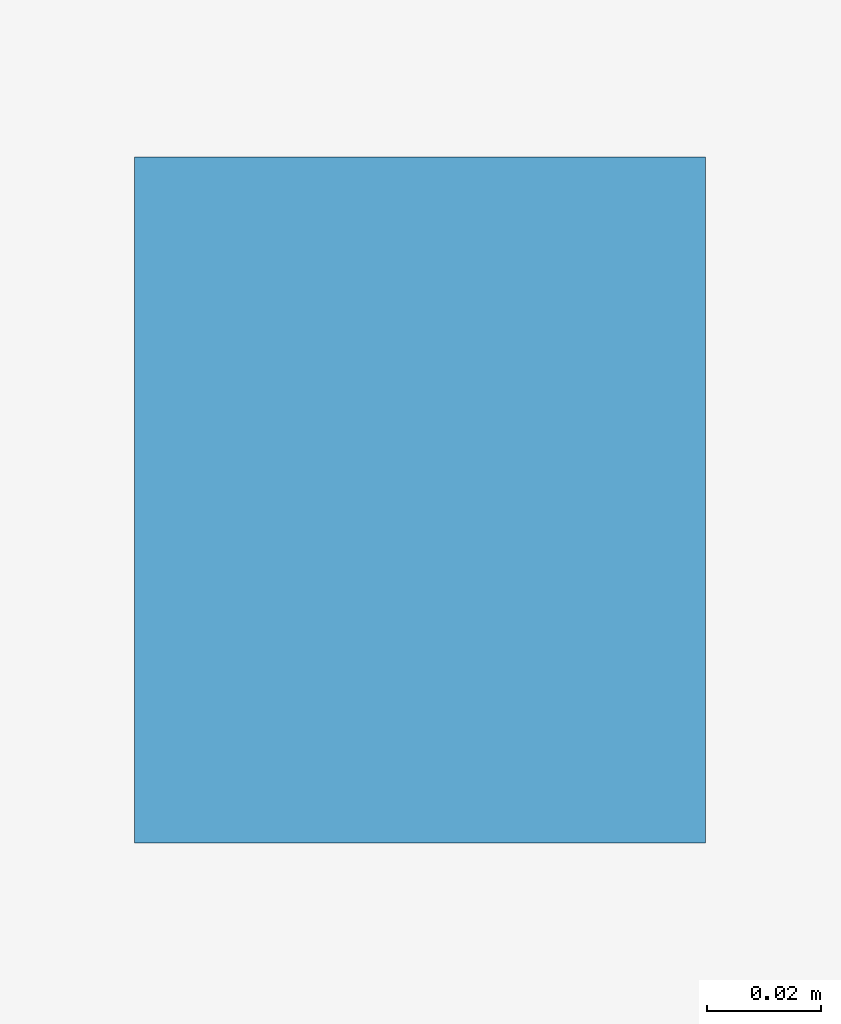
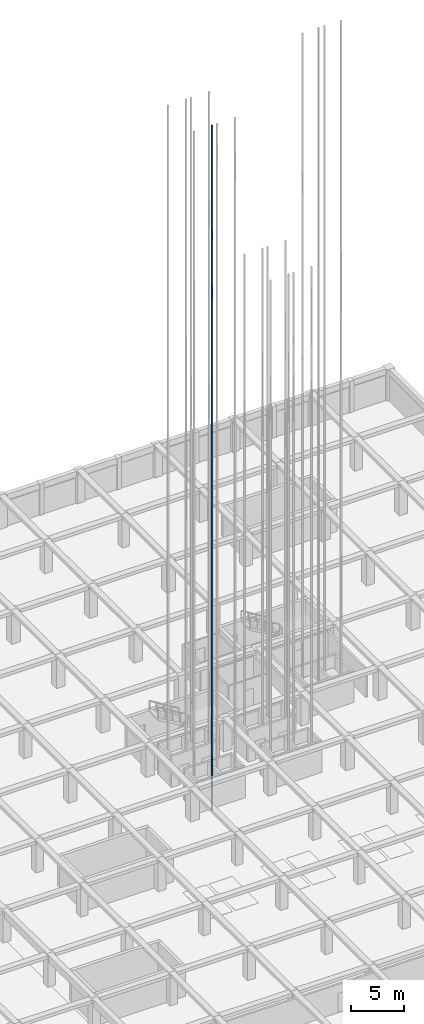
# One storey, part 26 of 47: 1 discrete accessory.
"""IFC4 building model written with IfcOpenShell, lengths in metres."""

from ifc_helpers import new_model, si_unit, direction, frame, origin, origin_2d, place, context, subcontext, project, spatial, rectangle, extrude, material, layer, layer_set, type_object, element, save


model = new_model("IFC4")

# Units and contexts
model_context = context("Model", 3, precision=1e-05, world=origin(), true_north=direction((0.0, 1.0)))
body_context = subcontext(model_context, "Body", "Model", "MODEL_VIEW")
ifc_project = project(units=[si_unit("LENGTHUNIT", "METRE"), si_unit("AREAUNIT", "SQUARE_METRE"), si_unit("VOLUMEUNIT", "CUBIC_METRE"), si_unit("PLANEANGLEUNIT", "RADIAN"), si_unit("MASSUNIT", "GRAM", prefix="KILO")], contexts=[model_context])

# Site, building, storey
site_placement = place(None, origin())
site = spatial("IfcSite", under=ifc_project, at=site_placement, CompositionType="ELEMENT")
building_placement = place(site_placement, origin())
building = spatial("IfcBuilding", under=site, at=building_placement, Name="Almacenes y Pasaje Nevantli", CompositionType="ELEMENT")
storey_placement = place(building_placement, frame((0.0, 0.0, -8.10009765625)))
storey = spatial("IfcBuildingStorey", under=building, at=storey_placement, Name="B02", CompositionType="ELEMENT", Elevation=-8.10009765625)

# Discrete accessory
ifc_material = material(Name="Steel ASTM A36", Category="steel")
ifc_layer = layer(ifc_material, 0.1201171875)
ifc_layer_set = layer_set([ifc_layer], Name="Steel ASTM A36")
discrete_accessory_type = type_object("IfcDiscreteAccessoryType", Name="ACC-LIFT-RAIL", PredefinedType="BRACKET", material=ifc_layer_set)
discrete_accessory_placement = place(storey_placement, frame((120.72998046875, 68.949951171875, -1.199951171875), z_axis=(0.0, 0.0, 1.0), x_axis=(1.0, 0.0, 0.0)))
element("IfcDiscreteAccessory", 1, at=discrete_accessory_placement, inside=storey, type_object=discrete_accessory_type, Name="Elevator Steel T-Section Guide Rail ELV-P05-E", PredefinedType="BRACKET", context=body_context, shape_type="SweptSolid", body=[
    extrude(rectangle(XDim=0.10009765625, YDim=0.1201171875, at=origin_2d()), origin(), (0.0, 0.0, 1.0), 78.5),
])

save(model, "model.ifc")
